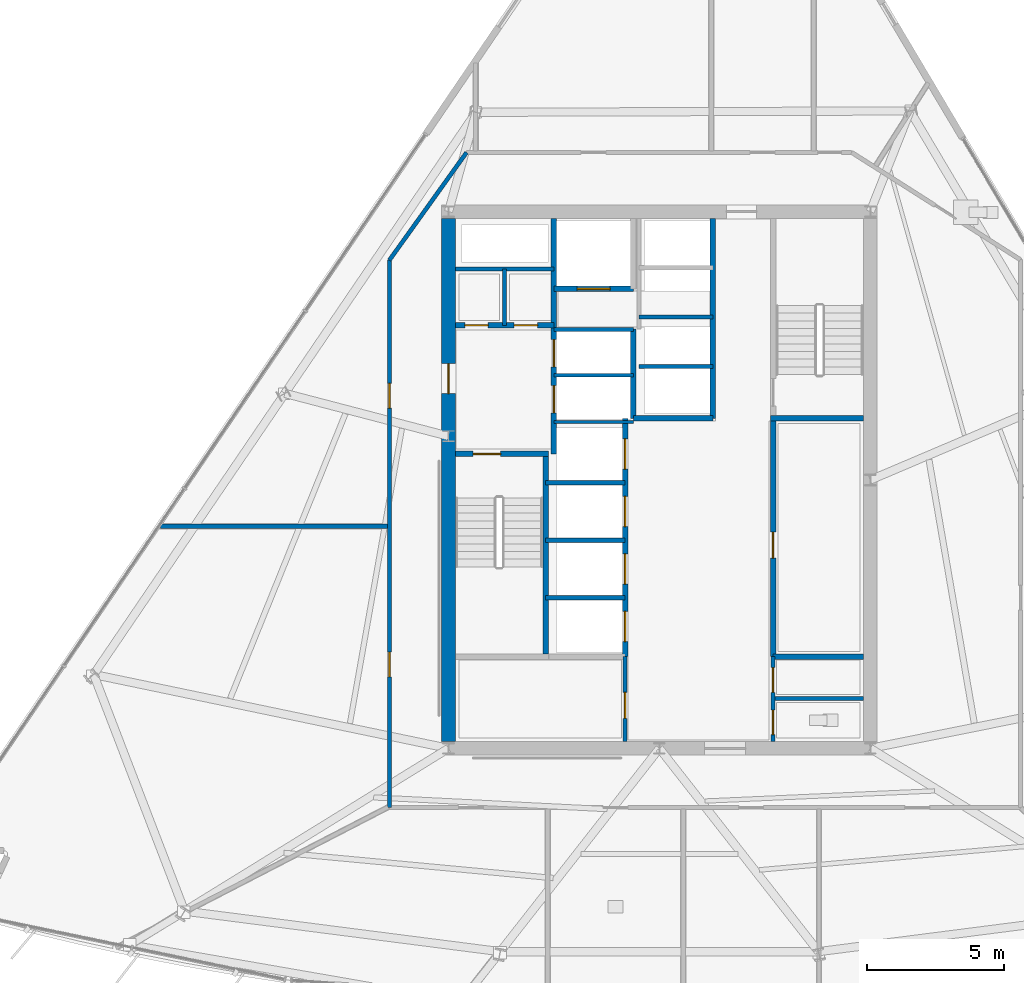
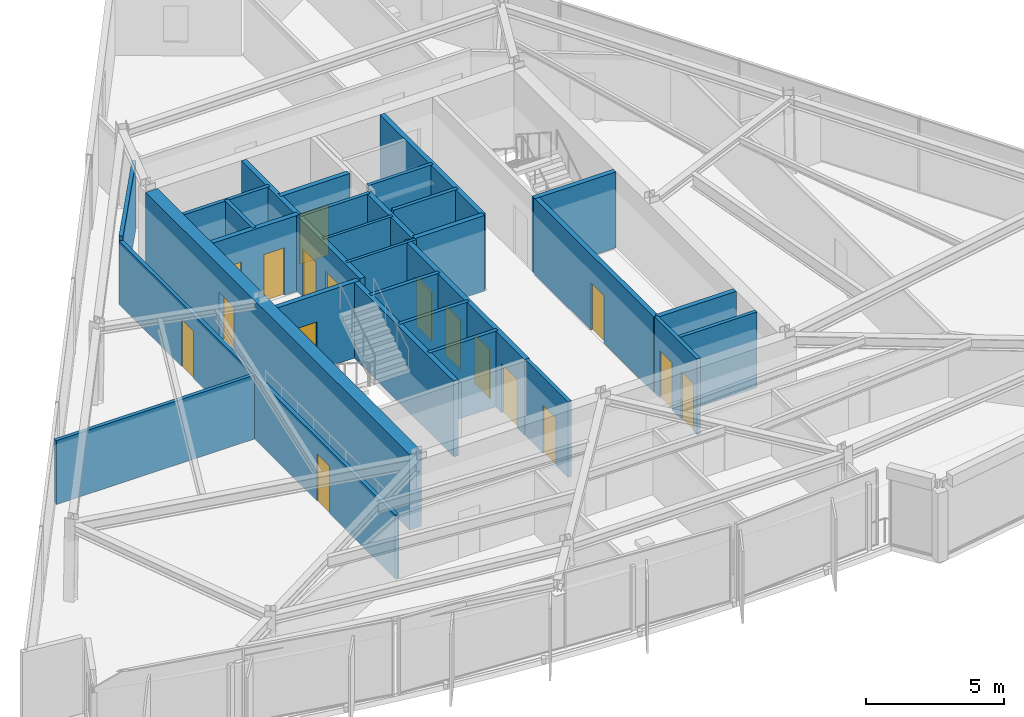
# One storey, part 8 of 13: 29 walls, 17 doors, 17 openings.
"""IFC4 building model written with IfcOpenShell, lengths in metres."""

from ifc_helpers import new_model, si_unit, direction, frame, frame_2d, origin, place, context, subcontext, project, spatial, rectangle, extrude, material, layer, layer_set, type_object, element, fill, save


model = new_model("IFC4")

# Units and contexts
model_context = context("Model", 3, precision=1e-05, world=origin(), true_north=direction((0.0, 1.0)))
body_context = subcontext(model_context, "Body", "Model", "MODEL_VIEW")
ifc_project = project(units=[si_unit("LENGTHUNIT", "METRE"), si_unit("AREAUNIT", "SQUARE_METRE"), si_unit("VOLUMEUNIT", "CUBIC_METRE"), si_unit("PLANEANGLEUNIT", "RADIAN"), si_unit("MASSUNIT", "GRAM", prefix="KILO")], contexts=[model_context])

# Site, building, storey
site_placement = place(None, origin())
site = spatial("IfcSite", under=ifc_project, at=site_placement, CompositionType="ELEMENT")
building_placement = place(site_placement, origin())
building = spatial("IfcBuilding", under=site, at=building_placement, Name="Savorim Split Tower", CompositionType="ELEMENT")
storey_placement = place(building_placement, frame((0.0, 0.0, 174.60009765625)))
storey = spatial("IfcBuildingStorey", under=building, at=storey_placement, Name="L46", CompositionType="ELEMENT", Elevation=174.60009765625)

# Wall, opening, door
ifc_material_1 = material(Name="Concrete C60/75", Category="concrete")
ifc_layer_1 = layer(ifc_material_1, 0.5)
ifc_layer_set_1 = layer_set([ifc_layer_1], Name="WAL-COR-SH500")
wall_type_1 = type_object("IfcWallType", Name="WAL-COR-SH500", PredefinedType="SHEAR", material=ifc_layer_set_1)
wall_1_placement = place(storey_placement, frame((-7.699951171875, -9.14990234375, 0.0), z_axis=(0.0, 0.0, 1.0), x_axis=(0.0, 1.0, 0.0)))
wall_1 = element("IfcWall", 1, at=wall_1_placement, inside=storey, type_object=wall_type_1, Name="L46 Offset Core West Shear Wall", PredefinedType="SHEAR", context=body_context, shape_type="SweptSolid", body=[
    extrude(rectangle(XDim=19.099853515625, YDim=0.5, at=frame_2d((9.5498046875, 0.0))), origin(), (0.0, 0.0, 1.0), 3.349853515625),
])
opening_1_placement = place(wall_1_placement, frame((12.699951171875, 0.0, 0.0)))
opening_1 = element("IfcOpeningElement", 2, at=opening_1_placement, cuts=wall_1, Name="Opening DI-03", PredefinedType="OPENING", context=body_context, shape_type="SweptSolid", body=[
    extrude(rectangle(XDim=1.10009765625, YDim=2.14990234375, at=frame_2d((0.550048828125, 1.074951171875))), frame((0.0, 0.260009765625, 0.0), z_axis=(0.0, -1.0, 0.0), x_axis=(1.0, 0.0, 0.0)), (0.0, 0.0, 1.0), 0.52001953125),
])
ifc_material_2 = material(Name="Timber Fire Door Leaf", Category="wood")
door_type_1 = type_object("IfcDoorType", Name="DOR-FIR-1100", OperationType="NOTDEFINED", PredefinedType="DOOR", material=ifc_material_2)
door_1_placement = place(opening_1_placement, origin())
door_1 = element("IfcDoor", 3, at=door_1_placement, inside=storey, type_object=door_type_1, Name="DOR-L46-COR-FFLOB - L46 Firefighting Lobby Corridor Door", OperationType="SINGLE_SWING_RIGHT", OverallHeight=2.14990234375, OverallWidth=1.10009765625, PredefinedType="DOOR", context=body_context, shape_type="SweptSolid", body=[
    extrude(rectangle(XDim=1.10009765625, YDim=2.14990234375, at=frame_2d((0.550048828125, 1.074951171875))), frame((0.0, 0.02490234375, 0.0), z_axis=(0.0, -1.0, 0.0), x_axis=(1.0, 0.0, 0.0)), (0.0, 0.0, 1.0), 0.050048828125),
])
fill(opening_1, door_1)

ifc_material_3 = material(Name="Concrete C50/60", Category="concrete")
ifc_layer_2 = layer(ifc_material_3, 0.199951171875)
ifc_layer_set_2 = layer_set([ifc_layer_2], Name="WAL-INT-RC200")
wall_type_2 = type_object("IfcWallType", Name="WAL-INT-RC200", PredefinedType="SOLIDWALL", material=ifc_layer_set_2)
wall_2_placement = place(storey_placement, frame((-7.449951171875, 1.35009765625, 0.0), z_axis=(0.0, 0.0, 1.0), x_axis=(1.0, 0.0, 0.0)))
wall_2 = element("IfcWall", 4, at=wall_2_placement, inside=storey, type_object=wall_type_2, Name="L46 Structural Shaft Wall W-L46-CR01", PredefinedType="SOLIDWALL", context=body_context, shape_type="SweptSolid", body=[
    extrude(rectangle(XDim=3.39990234375, YDim=0.199951171875, at=frame_2d((1.699951171875, 0.0))), origin(), (0.0, 0.0, 1.0), 3.349853515625),
])
opening_2_placement = place(wall_2_placement, frame((0.64990234375, 0.0, 0.0)))
opening_2 = element("IfcOpeningElement", 5, at=opening_2_placement, cuts=wall_2, Name="Opening DI-04", PredefinedType="OPENING", context=body_context, shape_type="SweptSolid", body=[
    extrude(rectangle(XDim=1.0, YDim=2.14990234375, at=frame_2d((0.5, 1.074951171875))), frame((0.0, 0.10986328125, 0.0), z_axis=(0.0, -1.0, 0.0), x_axis=(1.0, 0.0, 0.0)), (0.0, 0.0, 1.0), 0.219970703125),
])
door_type_2 = type_object("IfcDoorType", Name="DOR-FIR-1000", OperationType="NOTDEFINED", PredefinedType="DOOR", material=ifc_material_2)
door_2_placement = place(opening_2_placement, origin())
door_2 = element("IfcDoor", 6, at=door_2_placement, inside=storey, type_object=door_type_2, Name="DR-L46-ST1 - L46 Stair ST-1 Enclosure Door", OperationType="SINGLE_SWING_LEFT", OverallHeight=2.14990234375, OverallWidth=1.0, PredefinedType="DOOR", context=body_context, shape_type="SweptSolid", body=[
    extrude(rectangle(XDim=1.0, YDim=2.14990234375, at=frame_2d((0.5, 1.074951171875))), frame((0.0, 0.02490234375, 0.0), z_axis=(0.0, -1.0, 0.0), x_axis=(1.0, 0.0, 0.0)), (0.0, 0.0, 1.0), 0.050048828125),
])
fill(opening_2, door_2)

# Wall
wall_3_placement = place(storey_placement, frame((-4.14990234375, -5.949951171875, 0.0), z_axis=(0.0, 0.0, 1.0), x_axis=(0.0, 1.0, 0.0)))
element("IfcWall", 7, at=wall_3_placement, inside=storey, type_object=wall_type_2, Name="L46 Structural Shaft Wall W-L46-CR02", PredefinedType="SOLIDWALL", context=body_context, shape_type="SweptSolid", body=[
    extrude(rectangle(XDim=7.199951171875, YDim=0.199951171875, at=frame_2d((3.60009765625, 0.0))), origin(), (0.0, 0.0, 1.0), 3.349853515625),
])

# Wall, openings, doors
wall_4_placement = place(storey_placement, frame((-3.85009765625, 1.35009765625, 0.0), z_axis=(0.0, 0.0, 1.0), x_axis=(0.0, 1.0, 0.0)))
wall_4 = element("IfcWall", 8, at=wall_4_placement, inside=storey, type_object=wall_type_2, Name="L46 Partition W-L46-CR03", PredefinedType="SOLIDWALL", context=body_context, shape_type="SweptSolid", body=[
    extrude(rectangle(XDim=8.594970703125, YDim=0.199951171875, at=frame_2d((4.29736328125, 0.0))), origin(), (0.0, 0.0, 1.0), 3.349853515625),
])
opening_3_placement = place(wall_4_placement, frame((1.5, 0.0, 0.0)))
opening_3 = element("IfcOpeningElement", 9, at=opening_3_placement, cuts=wall_4, Name="Opening LD-FFL", PredefinedType="OPENING", context=body_context, shape_type="SweptSolid", body=[
    extrude(rectangle(XDim=1.0, YDim=2.14990234375, at=frame_2d((0.5, 1.074951171875))), frame((0.0, 0.10986328125, 0.0), z_axis=(0.0, -1.0, 0.0), x_axis=(1.0, 0.0, 0.0)), (0.0, 0.0, 1.0), 0.219970703125),
])
opening_4_placement = place(wall_4_placement, frame((3.179931640625, 0.0, 0.0)))
opening_4 = element("IfcOpeningElement", 10, at=opening_4_placement, cuts=wall_4, Name="Opening LD-FFL", PredefinedType="OPENING", context=body_context, shape_type="SweptSolid", body=[
    extrude(rectangle(XDim=1.0, YDim=2.14990234375, at=frame_2d((0.5, 1.074951171875))), frame((0.0, 0.10986328125, 0.0), z_axis=(0.0, -1.0, 0.0), x_axis=(1.0, 0.0, 0.0)), (0.0, 0.0, 1.0), 0.219970703125),
])
ifc_material_4 = material(Name="Charcoal Anodised Aluminium", Category="aluminium")
door_type_3 = type_object("IfcDoorType", Name="DOR-SLD-LD1000", OperationType="NOTDEFINED", PredefinedType="DOOR", material=ifc_material_4)
door_3_placement = place(opening_3_placement, origin())
door_3 = element("IfcDoor", 11, at=door_3_placement, inside=storey, type_object=door_type_3, Name="DR-L46-LD-FFL1 - L46 Firefighting Lift FFL-1 Sliding Landing Door", OperationType="DOUBLE_DOOR_SLIDING", OverallHeight=2.14990234375, OverallWidth=1.0, PredefinedType="DOOR", context=body_context, shape_type="SweptSolid", body=[
    extrude(rectangle(XDim=1.0, YDim=2.14990234375, at=frame_2d((0.5, 1.074951171875))), frame((0.0, 0.02490234375, 0.0), z_axis=(0.0, -1.0, 0.0), x_axis=(1.0, 0.0, 0.0)), (0.0, 0.0, 1.0), 0.050048828125),
])
fill(opening_3, door_3)
door_4_placement = place(opening_4_placement, origin())
door_4 = element("IfcDoor", 12, at=door_4_placement, inside=storey, type_object=door_type_3, Name="DR-L46-LD-FFL2 - L46 Firefighting Lift FFL-2 Sliding Landing Door", OperationType="DOUBLE_DOOR_SLIDING", OverallHeight=2.14990234375, OverallWidth=1.0, PredefinedType="DOOR", context=body_context, shape_type="SweptSolid", body=[
    extrude(rectangle(XDim=1.0, YDim=2.14990234375, at=frame_2d((0.5, 1.074951171875))), frame((0.0, 0.02490234375, 0.0), z_axis=(0.0, -1.0, 0.0), x_axis=(1.0, 0.0, 0.0)), (0.0, 0.0, 1.0), 0.050048828125),
])
fill(opening_4, door_4)

wall_5_placement = place(storey_placement, frame((-7.445068359375, 6.050048828125, 0.0), z_axis=(0.0, 0.0, 1.0), x_axis=(1.0, 0.0, 0.0)))
wall_5 = element("IfcWall", 13, at=wall_5_placement, inside=storey, type_object=wall_type_2, Name="L46 Partition W-L46-CR04", PredefinedType="SOLIDWALL", context=body_context, shape_type="SweptSolid", body=[
    extrude(rectangle(XDim=3.594970703125, YDim=0.199951171875, at=frame_2d((1.79736328125, 0.0))), origin(), (0.0, 0.0, 1.0), 3.349853515625),
])
opening_5_placement = place(wall_5_placement, frame((0.344970703125, 0.0, 0.0)))
opening_5 = element("IfcOpeningElement", 14, at=opening_5_placement, cuts=wall_5, Name="Opening DI-12", PredefinedType="OPENING", context=body_context, shape_type="SweptSolid", body=[
    extrude(rectangle(XDim=0.85009765625, YDim=2.10009765625, at=frame_2d((0.425048828125, 1.050048828125))), frame((0.0, 0.10986328125, 0.0), z_axis=(0.0, -1.0, 0.0), x_axis=(1.0, 0.0, 0.0)), (0.0, 0.0, 1.0), 0.219970703125),
])
opening_6_placement = place(wall_5_placement, frame((2.14501953125, 0.0, 0.0)))
opening_6 = element("IfcOpeningElement", 15, at=opening_6_placement, cuts=wall_5, Name="Opening DI-12", PredefinedType="OPENING", context=body_context, shape_type="SweptSolid", body=[
    extrude(rectangle(XDim=0.85009765625, YDim=2.10009765625, at=frame_2d((0.425048828125, 1.050048828125))), frame((0.0, 0.10986328125, 0.0), z_axis=(0.0, -1.0, 0.0), x_axis=(1.0, 0.0, 0.0)), (0.0, 0.0, 1.0), 0.219970703125),
])
ifc_material_5 = material(Name="Galvanised Painted Steel Balustrade", Category="steel")
door_type_4 = type_object("IfcDoorType", Name="DOR-RIS-850", OperationType="NOTDEFINED", PredefinedType="DOOR", material=ifc_material_5)
door_5_placement = place(opening_5_placement, origin())
door_5 = element("IfcDoor", 16, at=door_5_placement, inside=storey, type_object=door_type_4, Name="DR-L46-ELR - L46 Electrical Riser Access Door", OperationType="SINGLE_SWING_RIGHT", OverallHeight=2.10009765625, OverallWidth=0.85009765625, PredefinedType="DOOR", context=body_context, shape_type="SweptSolid", body=[
    extrude(rectangle(XDim=0.85009765625, YDim=2.10009765625, at=frame_2d((0.425048828125, 1.050048828125))), frame((0.0, 0.02490234375, 0.0), z_axis=(0.0, -1.0, 0.0), x_axis=(1.0, 0.0, 0.0)), (0.0, 0.0, 1.0), 0.050048828125),
])
fill(opening_5, door_5)
door_6_placement = place(opening_6_placement, origin())
door_6 = element("IfcDoor", 17, at=door_6_placement, inside=storey, type_object=door_type_4, Name="DR-L46-TLR - L46 Telecom Riser Access Door", OperationType="SINGLE_SWING_LEFT", OverallHeight=2.10009765625, OverallWidth=0.85009765625, PredefinedType="DOOR", context=body_context, shape_type="SweptSolid", body=[
    extrude(rectangle(XDim=0.85009765625, YDim=2.10009765625, at=frame_2d((0.425048828125, 1.050048828125))), frame((0.0, 0.02490234375, 0.0), z_axis=(0.0, -1.0, 0.0), x_axis=(1.0, 0.0, 0.0)), (0.0, 0.0, 1.0), 0.050048828125),
])
fill(opening_6, door_6)

# Walls
wall_6_placement = place(storey_placement, frame((4.050048828125, 2.64990234375, 0.0), z_axis=(0.0, 0.0, 1.0), x_axis=(1.0, 0.0, 0.0)))
element("IfcWall", 18, at=wall_6_placement, inside=storey, type_object=wall_type_2, Name="L46 Structural Shaft Wall W-L46-CR08", PredefinedType="SOLIDWALL", context=body_context, shape_type="SweptSolid", body=[
    extrude(rectangle(XDim=3.39990234375, YDim=0.199951171875, at=frame_2d((1.699951171875, 0.0))), origin(), (0.0, 0.0, 1.0), 3.349853515625),
])
wall_7_placement = place(storey_placement, frame((-0.949951171875, 2.64990234375, 0.0), z_axis=(0.0, 0.0, 1.0), x_axis=(0.0, 1.0, 0.0)))
element("IfcWall", 19, at=wall_7_placement, inside=storey, type_object=wall_type_2, Name="L46 Partition W-L46-FFLW", PredefinedType="SOLIDWALL", context=body_context, shape_type="SweptSolid", body=[
    extrude(rectangle(XDim=3.27001953125, YDim=0.199951171875, at=frame_2d((1.635009765625, 0.0))), origin(), (0.0, 0.0, 1.0), 3.349853515625),
])

# Wall, opening, door
wall_8_placement = place(storey_placement, frame((-3.85009765625, 7.3798828125, 0.0), z_axis=(0.0, 0.0, 1.0), x_axis=(1.0, 0.0, 0.0)))
wall_8 = element("IfcWall", 20, at=wall_8_placement, inside=storey, type_object=wall_type_2, Name="L46 Partition W-L46-SVLS", PredefinedType="SOLIDWALL", context=body_context, shape_type="SweptSolid", body=[
    extrude(rectangle(XDim=2.900146484375, YDim=0.199951171875, at=frame_2d((1.4501953125, 0.0))), origin(), (0.0, 0.0, 1.0), 3.349853515625),
])
opening_7_placement = place(wall_8_placement, frame((0.85009765625, 0.0, 0.0)))
opening_7 = element("IfcOpeningElement", 21, at=opening_7_placement, cuts=wall_8, Name="Opening LD-SV", PredefinedType="OPENING", context=body_context, shape_type="SweptSolid", body=[
    extrude(rectangle(XDim=1.199951171875, YDim=2.199951171875, at=frame_2d((0.60009765625, 1.10009765625))), frame((0.0, 0.10986328125, 0.0), z_axis=(0.0, -1.0, 0.0), x_axis=(1.0, 0.0, 0.0)), (0.0, 0.0, 1.0), 0.219970703125),
])
door_type_5 = type_object("IfcDoorType", Name="DOR-SLD-SV1200", OperationType="NOTDEFINED", PredefinedType="DOOR", material=ifc_material_4)
door_7_placement = place(opening_7_placement, origin())
door_7 = element("IfcDoor", 22, at=door_7_placement, inside=storey, type_object=door_type_5, Name="DR-L46-LD-SVL1 - L46 Service Lift SVL-1 Sliding Landing Door", OperationType="DOUBLE_DOOR_SLIDING", OverallHeight=2.199951171875, OverallWidth=1.199951171875, PredefinedType="DOOR", context=body_context, shape_type="SweptSolid", body=[
    extrude(rectangle(XDim=1.199951171875, YDim=2.199951171875, at=frame_2d((0.60009765625, 1.10009765625))), frame((0.0, 0.02490234375, 0.0), z_axis=(0.0, -1.0, 0.0), x_axis=(1.0, 0.0, 0.0)), (0.0, 0.0, 1.0), 0.050048828125),
])
fill(opening_7, door_7)

wall_9_placement = place(storey_placement, frame((4.14990234375, -6.050048828125, 0.0), z_axis=(0.0, 0.0, 1.0), x_axis=(0.0, 1.0, 0.0)))
wall_9 = element("IfcWall", 23, at=wall_9_placement, inside=storey, type_object=wall_type_2, Name="L46 Partition W-L46-B1FRONT", PredefinedType="SOLIDWALL", context=body_context, shape_type="SweptSolid", body=[
    extrude(rectangle(XDim=8.699951171875, YDim=0.199951171875, at=frame_2d((4.35009765625, 0.0))), origin(), (0.0, 0.0, 1.0), 3.349853515625),
])
opening_8_placement = place(wall_9_placement, frame((3.60009765625, 0.0, 0.0)))
opening_8 = element("IfcOpeningElement", 24, at=opening_8_placement, cuts=wall_9, Name="Opening DI-05", PredefinedType="OPENING", context=body_context, shape_type="SweptSolid", body=[
    extrude(rectangle(XDim=0.949951171875, YDim=2.10009765625, at=frame_2d((0.47509765625, 1.050048828125))), frame((0.0, 0.10986328125, 0.0), z_axis=(0.0, -1.0, 0.0), x_axis=(1.0, 0.0, 0.0)), (0.0, 0.0, 1.0), 0.219970703125),
])
door_type_6 = type_object("IfcDoorType", Name="DOR-FIR-950", OperationType="NOTDEFINED", PredefinedType="DOOR", material=ifc_material_2)
door_8_placement = place(opening_8_placement, origin())
door_8 = element("IfcDoor", 25, at=door_8_placement, inside=storey, type_object=door_type_6, Name="DR-L46-LV7B1 - L46 Shared Pantry and Linen Room Door", OperationType="SINGLE_SWING_RIGHT", OverallHeight=2.10009765625, OverallWidth=0.949951171875, PredefinedType="DOOR", context=body_context, shape_type="SweptSolid", body=[
    extrude(rectangle(XDim=0.949951171875, YDim=2.10009765625, at=frame_2d((0.47509765625, 1.050048828125))), frame((0.0, 0.02490234375, 0.0), z_axis=(0.0, -1.0, 0.0), x_axis=(1.0, 0.0, 0.0)), (0.0, 0.0, 1.0), 0.050048828125),
])
fill(opening_8, door_8)

# Wall, openings, doors
wall_10_placement = place(storey_placement, frame((-1.25, -6.050048828125, 0.0), z_axis=(0.0, 0.0, 1.0), x_axis=(0.0, 1.0, 0.0)))
wall_10 = element("IfcWall", 26, at=wall_10_placement, inside=storey, type_object=wall_type_2, Name="L46 Partition W-L46-B2FRONT", PredefinedType="SOLIDWALL", context=body_context, shape_type="SweptSolid", body=[
    extrude(rectangle(XDim=8.699951171875, YDim=0.199951171875, at=frame_2d((4.35009765625, 0.0))), origin(), (0.0, 0.0, 1.0), 3.349853515625),
])
opening_9_placement = place(wall_10_placement, frame((0.550048828125, 0.0, 0.0)))
opening_9 = element("IfcOpeningElement", 27, at=opening_9_placement, cuts=wall_10, Name="Opening LD-02", PredefinedType="OPENING", context=body_context, shape_type="SweptSolid", body=[
    extrude(rectangle(XDim=1.10009765625, YDim=2.14990234375, at=frame_2d((0.550048828125, 1.074951171875))), frame((0.0, 0.10986328125, 0.0), z_axis=(0.0, -1.0, 0.0), x_axis=(1.0, 0.0, 0.0)), (0.0, 0.0, 1.0), 0.219970703125),
])
opening_10_placement = place(wall_10_placement, frame((2.64990234375, 0.0, 0.0)))
opening_10 = element("IfcOpeningElement", 28, at=opening_10_placement, cuts=wall_10, Name="Opening LD-02", PredefinedType="OPENING", context=body_context, shape_type="SweptSolid", body=[
    extrude(rectangle(XDim=1.10009765625, YDim=2.14990234375, at=frame_2d((0.550048828125, 1.074951171875))), frame((0.0, 0.10986328125, 0.0), z_axis=(0.0, -1.0, 0.0), x_axis=(1.0, 0.0, 0.0)), (0.0, 0.0, 1.0), 0.219970703125),
])
opening_11_placement = place(wall_10_placement, frame((4.75, 0.0, 0.0)))
opening_11 = element("IfcOpeningElement", 29, at=opening_11_placement, cuts=wall_10, Name="Opening LD-02", PredefinedType="OPENING", context=body_context, shape_type="SweptSolid", body=[
    extrude(rectangle(XDim=1.10009765625, YDim=2.14990234375, at=frame_2d((0.550048828125, 1.074951171875))), frame((0.0, 0.10986328125, 0.0), z_axis=(0.0, -1.0, 0.0), x_axis=(1.0, 0.0, 0.0)), (0.0, 0.0, 1.0), 0.219970703125),
])
opening_12_placement = place(wall_10_placement, frame((6.85009765625, 0.0, 0.0)))
opening_12 = element("IfcOpeningElement", 30, at=opening_12_placement, cuts=wall_10, Name="Opening LD-02", PredefinedType="OPENING", context=body_context, shape_type="SweptSolid", body=[
    extrude(rectangle(XDim=1.10009765625, YDim=2.14990234375, at=frame_2d((0.550048828125, 1.074951171875))), frame((0.0, 0.10986328125, 0.0), z_axis=(0.0, -1.0, 0.0), x_axis=(1.0, 0.0, 0.0)), (0.0, 0.0, 1.0), 0.219970703125),
])
door_type_7 = type_object("IfcDoorType", Name="DOR-SLD-LDM1100", OperationType="NOTDEFINED", PredefinedType="DOOR", material=ifc_material_4)
door_9_placement = place(opening_9_placement, origin())
door_9 = element("IfcDoor", 31, at=door_9_placement, inside=storey, type_object=door_type_7, Name="DR-L46-LD-PLM1 - L46 Lift PL-M1 Sliding Landing Door", OperationType="DOUBLE_DOOR_SLIDING", OverallHeight=2.14990234375, OverallWidth=1.10009765625, PredefinedType="DOOR", context=body_context, shape_type="SweptSolid", body=[
    extrude(rectangle(XDim=1.10009765625, YDim=2.14990234375, at=frame_2d((0.550048828125, 1.074951171875))), frame((0.0, 0.02490234375, 0.0), z_axis=(0.0, -1.0, 0.0), x_axis=(1.0, 0.0, 0.0)), (0.0, 0.0, 1.0), 0.050048828125),
])
fill(opening_9, door_9)
door_10_placement = place(opening_10_placement, origin())
door_10 = element("IfcDoor", 32, at=door_10_placement, inside=storey, type_object=door_type_7, Name="DR-L46-LD-PLM2 - L46 Lift PL-M2 Sliding Landing Door", OperationType="DOUBLE_DOOR_SLIDING", OverallHeight=2.14990234375, OverallWidth=1.10009765625, PredefinedType="DOOR", context=body_context, shape_type="SweptSolid", body=[
    extrude(rectangle(XDim=1.10009765625, YDim=2.14990234375, at=frame_2d((0.550048828125, 1.074951171875))), frame((0.0, 0.02490234375, 0.0), z_axis=(0.0, -1.0, 0.0), x_axis=(1.0, 0.0, 0.0)), (0.0, 0.0, 1.0), 0.050048828125),
])
fill(opening_10, door_10)
door_11_placement = place(opening_11_placement, origin())
door_11 = element("IfcDoor", 33, at=door_11_placement, inside=storey, type_object=door_type_7, Name="DR-L46-LD-PLM3 - L46 Lift PL-M3 Sliding Landing Door", OperationType="DOUBLE_DOOR_SLIDING", OverallHeight=2.14990234375, OverallWidth=1.10009765625, PredefinedType="DOOR", context=body_context, shape_type="SweptSolid", body=[
    extrude(rectangle(XDim=1.10009765625, YDim=2.14990234375, at=frame_2d((0.550048828125, 1.074951171875))), frame((0.0, 0.02490234375, 0.0), z_axis=(0.0, -1.0, 0.0), x_axis=(1.0, 0.0, 0.0)), (0.0, 0.0, 1.0), 0.050048828125),
])
fill(opening_11, door_11)
door_12_placement = place(opening_12_placement, origin())
door_12 = element("IfcDoor", 34, at=door_12_placement, inside=storey, type_object=door_type_7, Name="DR-L46-LD-PLM4 - L46 Lift PL-M4 Sliding Landing Door", OperationType="DOUBLE_DOOR_SLIDING", OverallHeight=2.14990234375, OverallWidth=1.10009765625, PredefinedType="DOOR", context=body_context, shape_type="SweptSolid", body=[
    extrude(rectangle(XDim=1.10009765625, YDim=2.14990234375, at=frame_2d((0.550048828125, 1.074951171875))), frame((0.0, 0.02490234375, 0.0), z_axis=(0.0, -1.0, 0.0), x_axis=(1.0, 0.0, 0.0)), (0.0, 0.0, 1.0), 0.050048828125),
])
fill(opening_12, door_12)

# Walls
wall_11_placement = place(storey_placement, frame((1.949951171875, 2.64990234375, 0.0), z_axis=(0.0, 0.0, 1.0), x_axis=(0.0, 1.0, 0.0)))
element("IfcWall", 35, at=wall_11_placement, inside=storey, type_object=wall_type_2, Name="L46 Partition W-L46-B3FRONT", PredefinedType="SOLIDWALL", context=body_context, shape_type="SweptSolid", body=[
    extrude(rectangle(XDim=7.295166015625, YDim=0.199951171875, at=frame_2d((3.6474609375, 0.0))), origin(), (0.0, 0.0, 1.0), 3.349853515625),
])
wall_12_placement = place(storey_placement, frame((-0.949951171875, 2.64990234375, 0.0), z_axis=(0.0, 0.0, 1.0), x_axis=(1.0, 0.0, 0.0)))
element("IfcWall", 36, at=wall_12_placement, inside=storey, type_object=wall_type_2, Name="L46 Partition W-L46-B3SOUTH", PredefinedType="SOLIDWALL", context=body_context, shape_type="SweptSolid", body=[
    extrude(rectangle(XDim=2.89990234375, YDim=0.199951171875, at=frame_2d((1.449951171875, 0.0))), origin(), (0.0, 0.0, 1.0), 3.349853515625),
])
wall_13_placement = place(storey_placement, frame((4.14990234375, -6.050048828125, 0.0), z_axis=(0.0, 0.0, 1.0), x_axis=(1.0, 0.0, 0.0)))
element("IfcWall", 37, at=wall_13_placement, inside=storey, type_object=wall_type_2, Name="L46 Partition W-L46-KSEP-E", PredefinedType="SOLIDWALL", context=body_context, shape_type="SweptSolid", body=[
    extrude(rectangle(XDim=3.295166015625, YDim=0.199951171875, at=frame_2d((1.6474609375, 0.0))), origin(), (0.0, 0.0, 1.0), 3.349853515625),
])
ifc_material_6 = material(Name="Acoustic Gypsum Partition Board")
ifc_layer_3 = layer(ifc_material_6, 0.1201171875)
ifc_layer_set_3 = layer_set([ifc_layer_3], Name="WAL-PAR-120")
wall_type_3 = type_object("IfcWallType", Name="WAL-PAR-120", PredefinedType="PARTITIONING", material=ifc_layer_set_3)
for number, where, z_axis, x_axis, name in (
    (38, (-3.85009765625, 2.52001953125, 0.0), (0.0, 0.0, 1.0), (1.0, 0.0, 0.0), "L46 Partition W-L46-FFLD0"),
    (39, (-3.85009765625, 4.219970703125, 0.0), (0.0, 0.0, 1.0), (1.0, 0.0, 0.0), "L46 Partition W-L46-FFLD1"),
):
    element("IfcWall", number, at=place(storey_placement, frame(where, z_axis=z_axis, x_axis=x_axis)), inside=storey, type_object=wall_type_3, Name=name, PredefinedType="PARTITIONING", context=body_context, shape_type="SweptSolid", body=[
        extrude(rectangle(XDim=2.900146484375, YDim=0.1201171875, at=frame_2d((1.4501953125, 0.0))), origin(), (0.0, 0.0, 1.0), 3.349853515625),
    ])
ifc_layer_4 = layer(ifc_material_6, 0.14990234375)
ifc_layer_set_4 = layer_set([ifc_layer_4], Name="WAL-PAR-150")
wall_type_4 = type_object("IfcWallType", Name="WAL-PAR-150", PredefinedType="PARTITIONING", material=ifc_layer_set_4)
wall_14_placement = place(storey_placement, frame((-7.445068359375, 8.10009765625, 0.0), z_axis=(0.0, 0.0, 1.0), x_axis=(1.0, 0.0, 0.0)))
element("IfcWall", 40, at=wall_14_placement, inside=storey, type_object=wall_type_4, Name="L46 Partition W-L46-CR05", PredefinedType="PARTITIONING", context=body_context, shape_type="SweptSolid", body=[
    extrude(rectangle(XDim=3.594970703125, YDim=0.14990234375, at=frame_2d((1.79736328125, 0.0))), origin(), (0.0, 0.0, 1.0), 3.349853515625),
])
wall_15_placement = place(storey_placement, frame((-5.64990234375, 6.050048828125, 0.0), z_axis=(0.0, 0.0, 1.0), x_axis=(0.0, 1.0, 0.0)))
element("IfcWall", 41, at=wall_15_placement, inside=storey, type_object=wall_type_4, Name="L46 Partition W-L46-CR06", PredefinedType="PARTITIONING", context=body_context, shape_type="SweptSolid", body=[
    extrude(rectangle(XDim=2.050048828125, YDim=0.14990234375, at=frame_2d((1.02490234375, 0.0))), origin(), (0.0, 0.0, 1.0), 3.349853515625),
])
wall_16_placement = place(storey_placement, frame((-3.85009765625, 5.89990234375, 0.0), z_axis=(0.0, 0.0, 1.0), x_axis=(1.0, 0.0, 0.0)))
element("IfcWall", 42, at=wall_16_placement, inside=storey, type_object=wall_type_4, Name="L46 Partition W-L46-FFLD2", PredefinedType="PARTITIONING", context=body_context, shape_type="SweptSolid", body=[
    extrude(rectangle(XDim=2.900146484375, YDim=0.14990234375, at=frame_2d((1.4501953125, 0.0))), origin(), (0.0, 0.0, 1.0), 3.349853515625),
])
for number, where, z_axis, x_axis, name in (
    (43, (-4.14990234375, -3.89990234375, 0.0), (0.0, 0.0, 1.0), (1.0, 0.0, 0.0), "L46 Partition W-L46-B2DIV1"),
    (44, (-4.14990234375, -1.800048828125, 0.0), (0.0, 0.0, 1.0), (1.0, 0.0, 0.0), "L46 Partition W-L46-B2DIV2"),
    (45, (-4.14990234375, 0.300048828125, 0.0), (0.0, 0.0, 1.0), (1.0, 0.0, 0.0), "L46 Partition W-L46-B2DIV3"),
):
    element("IfcWall", number, at=place(storey_placement, frame(where, z_axis=z_axis, x_axis=x_axis)), inside=storey, type_object=wall_type_4, Name=name, PredefinedType="PARTITIONING", context=body_context, shape_type="SweptSolid", body=[
        extrude(rectangle(XDim=2.89990234375, YDim=0.14990234375, at=frame_2d((1.449951171875, 0.0))), origin(), (0.0, 0.0, 1.0), 3.349853515625),
    ])
for number, where, z_axis, x_axis, name in (
    (46, (-0.75, 4.550048828125, 0.0), (0.0, 0.0, 1.0), (1.0, 0.0, 0.0), "L46 Partition W-L46-B3DIV1"),
    (47, (-0.75, 6.35009765625, 0.0), (0.0, 0.0, 1.0), (1.0, 0.0, 0.0), "L46 Partition W-L46-B3DIV2"),
):
    element("IfcWall", number, at=place(storey_placement, frame(where, z_axis=z_axis, x_axis=x_axis)), inside=storey, type_object=wall_type_4, Name=name, PredefinedType="PARTITIONING", context=body_context, shape_type="SweptSolid", body=[
        extrude(rectangle(XDim=2.699951171875, YDim=0.14990234375, at=frame_2d((1.35009765625, 0.0))), origin(), (0.0, 0.0, 1.0), 3.349853515625),
    ])

# Wall, opening, door
wall_17_placement = place(storey_placement, frame((-1.25, -9.14501953125, 0.0), z_axis=(0.0, 0.0, 1.0), x_axis=(0.0, 1.0, 0.0)))
wall_17 = element("IfcWall", 48, at=wall_17_placement, inside=storey, type_object=wall_type_4, Name="L46 Partition W-L46-KLOB-W", PredefinedType="PARTITIONING", context=body_context, shape_type="SweptSolid", body=[
    extrude(rectangle(XDim=3.094970703125, YDim=0.14990234375, at=frame_2d((1.54736328125, 0.0))), origin(), (0.0, 0.0, 1.0), 3.349853515625),
])
opening_13_placement = place(wall_17_placement, frame((0.844970703125, 0.0, 0.0)))
opening_13 = element("IfcOpeningElement", 49, at=opening_13_placement, cuts=wall_17, Name="Opening DI-05", PredefinedType="OPENING", context=body_context, shape_type="SweptSolid", body=[
    extrude(rectangle(XDim=0.949951171875, YDim=2.10009765625, at=frame_2d((0.47509765625, 1.050048828125))), frame((0.0, 0.0849609375, 0.0), z_axis=(0.0, -1.0, 0.0), x_axis=(1.0, 0.0, 0.0)), (0.0, 0.0, 1.0), 0.169921875),
])
door_13_placement = place(opening_13_placement, origin())
door_13 = element("IfcDoor", 50, at=door_13_placement, inside=storey, type_object=door_type_6, Name="DR-L46-K3LIN - L46 Housekeeping Store Door", OperationType="SINGLE_SWING_LEFT", OverallHeight=2.10009765625, OverallWidth=0.949951171875, PredefinedType="DOOR", context=body_context, shape_type="SweptSolid", body=[
    extrude(rectangle(XDim=0.949951171875, YDim=2.10009765625, at=frame_2d((0.47509765625, 1.050048828125))), frame((0.0, 0.02490234375, 0.0), z_axis=(0.0, -1.0, 0.0), x_axis=(1.0, 0.0, 0.0)), (0.0, 0.0, 1.0), 0.050048828125),
])
fill(opening_13, door_13)

# Wall, openings, doors
wall_18_placement = place(storey_placement, frame((4.14990234375, -9.14501953125, 0.0), z_axis=(0.0, 0.0, 1.0), x_axis=(0.0, 1.0, 0.0)))
wall_18 = element("IfcWall", 51, at=wall_18_placement, inside=storey, type_object=wall_type_4, Name="L46 Partition W-L46-KLOB-E", PredefinedType="PARTITIONING", context=body_context, shape_type="SweptSolid", body=[
    extrude(rectangle(XDim=3.094970703125, YDim=0.14990234375, at=frame_2d((1.54736328125, 0.0))), origin(), (0.0, 0.0, 1.0), 3.349853515625),
])
opening_14_placement = place(wall_18_placement, frame((0.2451171875, 0.0, 0.0)))
opening_14 = element("IfcOpeningElement", 52, at=opening_14_placement, cuts=wall_18, Name="Opening DI-11", PredefinedType="OPENING", context=body_context, shape_type="SweptSolid", body=[
    extrude(rectangle(XDim=0.89990234375, YDim=2.10009765625, at=frame_2d((0.449951171875, 1.050048828125))), frame((0.0, 0.0849609375, 0.0), z_axis=(0.0, -1.0, 0.0), x_axis=(1.0, 0.0, 0.0)), (0.0, 0.0, 1.0), 0.169921875),
])
opening_15_placement = place(wall_18_placement, frame((1.794921875, 0.0, 0.0)))
opening_15 = element("IfcOpeningElement", 53, at=opening_15_placement, cuts=wall_18, Name="Opening DI-06", PredefinedType="OPENING", context=body_context, shape_type="SweptSolid", body=[
    extrude(rectangle(XDim=0.89990234375, YDim=2.10009765625, at=frame_2d((0.449951171875, 1.050048828125))), frame((0.0, 0.0849609375, 0.0), z_axis=(0.0, -1.0, 0.0), x_axis=(1.0, 0.0, 0.0)), (0.0, 0.0, 1.0), 0.169921875),
])
door_type_8 = type_object("IfcDoorType", Name="DOR-FIR-900", OperationType="NOTDEFINED", PredefinedType="DOOR", material=ifc_material_2)
door_14_placement = place(opening_15_placement, origin())
door_14 = element("IfcDoor", 54, at=door_14_placement, inside=storey, type_object=door_type_8, Name="DR-L46-K3LCK - L46 Cleaning Store Door", OperationType="SINGLE_SWING_LEFT", OverallHeight=2.10009765625, OverallWidth=0.89990234375, PredefinedType="DOOR", context=body_context, shape_type="SweptSolid", body=[
    extrude(rectangle(XDim=0.89990234375, YDim=2.10009765625, at=frame_2d((0.449951171875, 1.050048828125))), frame((0.0, 0.02490234375, 0.0), z_axis=(0.0, -1.0, 0.0), x_axis=(1.0, 0.0, 0.0)), (0.0, 0.0, 1.0), 0.050048828125),
])
fill(opening_15, door_14)
ifc_material_7 = material(Name="Oak Veneer Acoustic Door")
door_type_9 = type_object("IfcDoorType", Name="DOR-WC-900", OperationType="NOTDEFINED", PredefinedType="DOOR", material=ifc_material_7)
door_15_placement = place(opening_14_placement, origin())
door_15 = element("IfcDoor", 55, at=door_15_placement, inside=storey, type_object=door_type_9, Name="DR-L46-K3AWC - L46 Core Accessible WC Door", OperationType="SINGLE_SWING_RIGHT", OverallHeight=2.10009765625, OverallWidth=0.89990234375, PredefinedType="DOOR", context=body_context, shape_type="SweptSolid", body=[
    extrude(rectangle(XDim=0.89990234375, YDim=2.10009765625, at=frame_2d((0.449951171875, 1.050048828125))), frame((0.0, 0.02490234375, 0.0), z_axis=(0.0, -1.0, 0.0), x_axis=(1.0, 0.0, 0.0)), (0.0, 0.0, 1.0), 0.050048828125),
])
fill(opening_14, door_15)

# Wall
wall_19_placement = place(storey_placement, frame((4.14990234375, -7.580078125, 0.0), z_axis=(0.0, 0.0, 1.0), x_axis=(1.0, 0.0, 0.0)))
element("IfcWall", 56, at=wall_19_placement, inside=storey, type_object=wall_type_4, Name="L46 Partition W-L46-K3H", PredefinedType="PARTITIONING", context=body_context, shape_type="SweptSolid", body=[
    extrude(rectangle(XDim=3.295166015625, YDim=0.14990234375, at=frame_2d((1.6474609375, 0.0))), origin(), (0.0, 0.0, 1.0), 3.349853515625),
])

# Wall, openings, doors
wall_20_placement = place(storey_placement, frame((-9.860107421875, -11.56005859375, 0.0), z_axis=(0.0, 0.0, 1.0), x_axis=(0.0, 1.0, 0.0)))
wall_20 = element("IfcWall", 57, at=wall_20_placement, inside=storey, type_object=wall_type_4, Name="L46 Partition W-L46-COR-01", PredefinedType="PARTITIONING", context=body_context, shape_type="SweptSolid", body=[
    extrude(rectangle(XDim=19.98583984375, YDim=0.14990234375, at=frame_2d((9.992919921875, 0.0))), origin(), (0.0, 0.0, 1.0), 2.824951171875),
])
opening_16_placement = place(wall_20_placement, frame((4.774169921875, 0.0, 0.0)))
opening_16 = element("IfcOpeningElement", 58, at=opening_16_placement, cuts=wall_20, Name="Opening DI-06", PredefinedType="OPENING", context=body_context, shape_type="SweptSolid", body=[
    extrude(rectangle(XDim=0.89990234375, YDim=2.10009765625, at=frame_2d((0.449951171875, 1.050048828125))), frame((0.0, 0.0849609375, 0.0), z_axis=(0.0, -1.0, 0.0), x_axis=(1.0, 0.0, 0.0)), (0.0, 0.0, 1.0), 0.169921875),
])
opening_17_placement = place(wall_20_placement, frame((14.5888671875, 0.0, 0.0)))
opening_17 = element("IfcOpeningElement", 59, at=opening_17_placement, cuts=wall_20, Name="Opening DI-06", PredefinedType="OPENING", context=body_context, shape_type="SweptSolid", body=[
    extrude(rectangle(XDim=0.89990234375, YDim=2.10009765625, at=frame_2d((0.449951171875, 1.050048828125))), frame((0.0, 0.0849609375, 0.0), z_axis=(0.0, -1.0, 0.0), x_axis=(1.0, 0.0, 0.0)), (0.0, 0.0, 1.0), 0.169921875),
])
door_16_placement = place(opening_16_placement, origin())
door_16 = element("IfcDoor", 60, at=door_16_placement, inside=storey, type_object=door_type_8, Name="DR-L46-RM01 - L46 Maker Workshop Entry Door", OperationType="SINGLE_SWING_RIGHT", OverallHeight=2.10009765625, OverallWidth=0.89990234375, PredefinedType="DOOR", context=body_context, shape_type="SweptSolid", body=[
    extrude(rectangle(XDim=0.89990234375, YDim=2.10009765625, at=frame_2d((0.449951171875, 1.050048828125))), frame((0.0, 0.02490234375, 0.0), z_axis=(0.0, -1.0, 0.0), x_axis=(1.0, 0.0, 0.0)), (0.0, 0.0, 1.0), 0.050048828125),
])
fill(opening_16, door_16)
door_17_placement = place(opening_17_placement, origin())
door_17 = element("IfcDoor", 61, at=door_17_placement, inside=storey, type_object=door_type_8, Name="DR-L46-RM11 - L46 Co-Working Commons Entry Door", OperationType="SINGLE_SWING_RIGHT", OverallHeight=2.10009765625, OverallWidth=0.89990234375, PredefinedType="DOOR", context=body_context, shape_type="SweptSolid", body=[
    extrude(rectangle(XDim=0.89990234375, YDim=2.10009765625, at=frame_2d((0.449951171875, 1.050048828125))), frame((0.0, 0.02490234375, 0.0), z_axis=(0.0, -1.0, 0.0), x_axis=(1.0, 0.0, 0.0)), (0.0, 0.0, 1.0), 0.050048828125),
])
fill(opening_17, door_17)

# Walls
wall_21_placement = place(storey_placement, frame((-9.860107421875, 8.42578125, 0.0), z_axis=(0.0, 0.0, 1.0), x_axis=(0.582449511476, 0.812866881218, 0.0)))
element("IfcWall", 62, at=wall_21_placement, inside=storey, type_object=wall_type_4, Name="L46 Partition W-L46-COR-02", PredefinedType="PARTITIONING", context=body_context, shape_type="SweptSolid", body=[
    extrude(rectangle(XDim=4.840087890625, YDim=0.14990234375, at=frame_2d((2.419921875, 0.0))), origin(), (0.0, 0.0, 1.0), 3.0048828125),
])
wall_22_placement = place(storey_placement, frame((-9.919921875, -1.289794921875, 0.0), z_axis=(0.0, 0.0, 1.0), x_axis=(-1.0, 0.0, 0.0)))
element("IfcWall", 63, at=wall_22_placement, inside=storey, type_object=wall_type_4, Name="L46 Partition W-L46-SUB02", PredefinedType="PARTITIONING", context=body_context, shape_type="SweptSolid", body=[
    extrude(rectangle(XDim=8.294189453125, YDim=0.14990234375, at=frame_2d((4.14697265625, 0.0))), origin(), (0.0, 0.0, 1.0), 2.824951171875),
])

save(model, "model.ifc")
